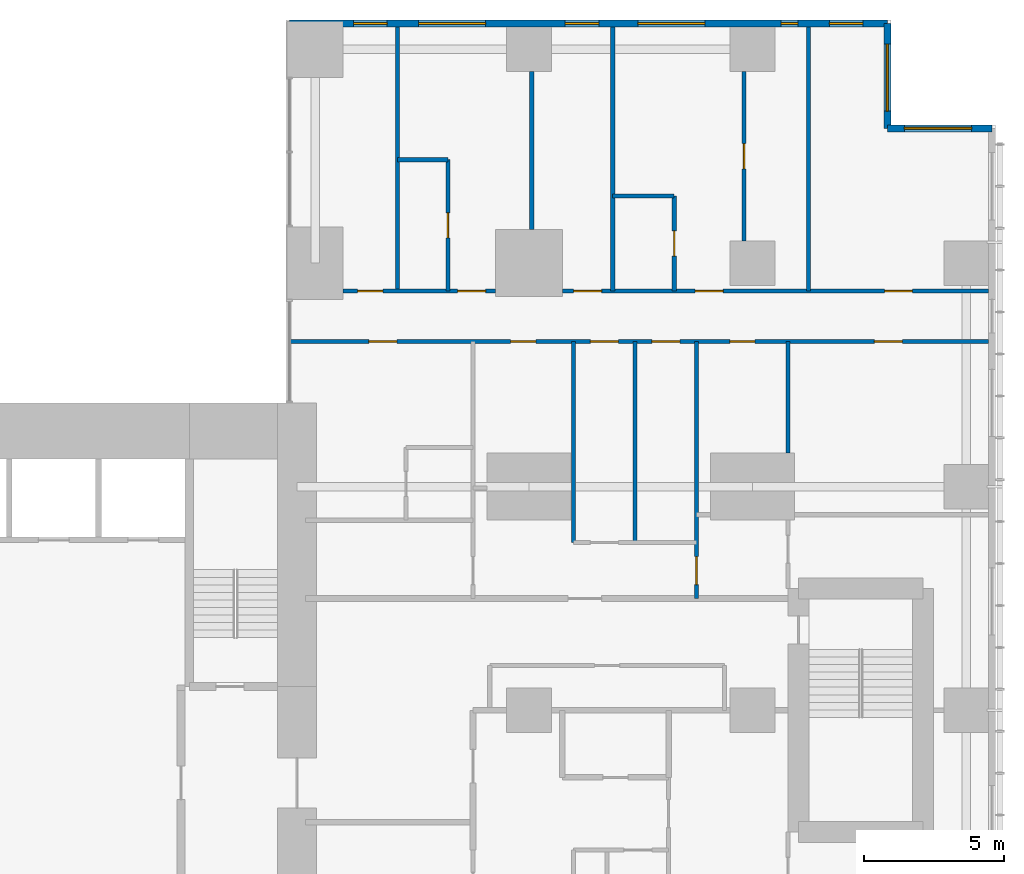
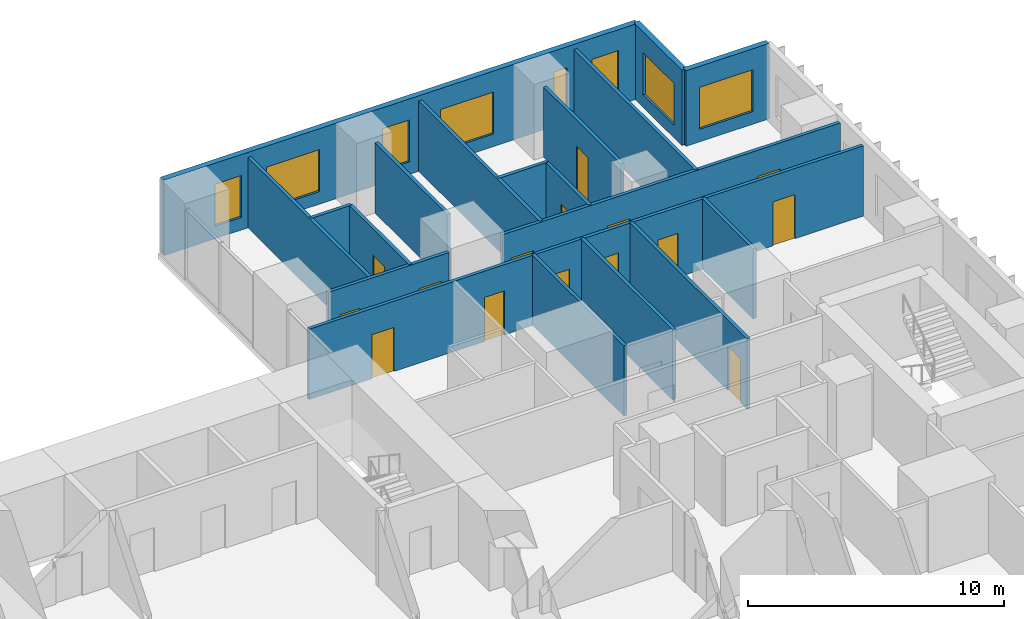
# One storey, part 10 of 12: 19 walls, 15 doors, 8 windows, 23 openings.
"""IFC4 building model written with IfcOpenShell, lengths in metres."""

from ifc_helpers import new_model, si_unit, direction, frame, frame_2d, origin, place, context, subcontext, project, spatial, rectangle, extrude, material, layer, layer_set, type_object, element, fill, save


model = new_model("IFC4")

# Units and contexts
model_context = context("Model", 3, precision=1e-05, world=origin(), true_north=direction((0.0, 1.0)))
body_context = subcontext(model_context, "Body", "Model", "MODEL_VIEW")
ifc_project = project(units=[si_unit("LENGTHUNIT", "METRE"), si_unit("AREAUNIT", "SQUARE_METRE"), si_unit("VOLUMEUNIT", "CUBIC_METRE"), si_unit("PLANEANGLEUNIT", "RADIAN"), si_unit("MASSUNIT", "GRAM", prefix="KILO")], contexts=[model_context])

# Site, building, storey
site_placement = place(None, origin())
site = spatial("IfcSite", under=ifc_project, at=site_placement, CompositionType="ELEMENT")
building_placement = place(site_placement, origin())
building = spatial("IfcBuilding", under=site, at=building_placement, Name="Cleftline Residences", CompositionType="ELEMENT")
storey_placement = place(building_placement, frame((0.0, 0.0, 241.199951171875)))
storey = spatial("IfcBuildingStorey", under=building, at=storey_placement, Name="L63", CompositionType="ELEMENT", Elevation=241.199951171875)

# Wall, opening, window
ifc_material_1 = material(Name="Rendered reinforced concrete blockwork", Category="masonry")
ifc_layer_1 = layer(ifc_material_1, 0.25)
ifc_layer_set_1 = layer_set([ifc_layer_1], Name="EXTERNAL WALL 250")
wall_type_1 = type_object("IfcWallType", Name="EXTERNAL WALL 250", PredefinedType="SOLIDWALL", material=ifc_layer_set_1)
wall_1_placement = place(storey_placement, frame((66.574951171875, 44.824951171875, 0.0), z_axis=(0.0, 0.0, 1.0), x_axis=(-1.0, 0.0, 0.0)))
wall_1 = element("IfcWall", 1, at=wall_1_placement, inside=storey, type_object=wall_type_1, Name="External wall", PredefinedType="SOLIDWALL", context=body_context, shape_type="SweptSolid", body=[
    extrude(rectangle(XDim=3.75, YDim=0.25, at=frame_2d((1.875, 0.0))), origin(), (0.0, 0.0, 1.0), 3.60009765625),
])
opening_1_placement = place(wall_1_placement, frame((0.737548828125, 0.0, 0.60009765625)))
opening_1 = element("IfcOpeningElement", 2, at=opening_1_placement, cuts=wall_1, Name="Opening W6", PredefinedType="OPENING", context=body_context, shape_type="SweptSolid", body=[
    extrude(rectangle(XDim=2.39990234375, YDim=2.0, at=frame_2d((1.199951171875, 1.0))), frame((0.0, 0.135009765625, 0.0), z_axis=(0.0, -1.0, 0.0), x_axis=(1.0, 0.0, 0.0)), (0.0, 0.0, 1.0), 0.27001953125),
])
ifc_material_2 = material(Name="Aluminium frame, clear double glazing", Category="aluminium")
window_type_1 = type_object("IfcWindowType", Name="WINDOW 2400X2000", PartitioningType="DOUBLE_PANEL_VERTICAL", PredefinedType="WINDOW", material=ifc_material_2)
window_1_placement = place(opening_1_placement, origin())
window_1 = element("IfcWindow", 3, at=window_1_placement, inside=storey, type_object=window_type_1, Name="Window", OverallHeight=2.0, OverallWidth=2.39990234375, PartitioningType="SINGLE_PANEL", PredefinedType="WINDOW", context=body_context, shape_type="SweptSolid", body=[
    extrude(rectangle(XDim=2.39990234375, YDim=2.0, at=frame_2d((1.199951171875, 1.0))), frame((0.0, 0.030029296875, 0.0), z_axis=(0.0, -1.0, 0.0), x_axis=(1.0, 0.0, 0.0)), (0.0, 0.0, 1.0), 0.06005859375),
])
fill(opening_1, window_1)

wall_2_placement = place(storey_placement, frame((62.824951171875, 44.824951171875, 0.0), z_axis=(0.0, 0.0, 1.0), x_axis=(0.0, 1.0, 0.0)))
wall_2 = element("IfcWall", 4, at=wall_2_placement, inside=storey, type_object=wall_type_1, Name="External wall", PredefinedType="SOLIDWALL", context=body_context, shape_type="SweptSolid", body=[
    extrude(rectangle(XDim=3.75, YDim=0.25, at=frame_2d((1.875, 0.0))), origin(), (0.0, 0.0, 1.0), 3.60009765625),
])
opening_2_placement = place(wall_2_placement, frame((0.612548828125, 0.0, 0.60009765625)))
opening_2 = element("IfcOpeningElement", 5, at=opening_2_placement, cuts=wall_2, Name="Opening W6", PredefinedType="OPENING", context=body_context, shape_type="SweptSolid", body=[
    extrude(rectangle(XDim=2.39990234375, YDim=2.0, at=frame_2d((1.199951171875, 1.0))), frame((0.0, 0.135009765625, 0.0), z_axis=(0.0, -1.0, 0.0), x_axis=(1.0, 0.0, 0.0)), (0.0, 0.0, 1.0), 0.27001953125),
])
window_2_placement = place(opening_2_placement, origin())
window_2 = element("IfcWindow", 6, at=window_2_placement, inside=storey, type_object=window_type_1, Name="Window", OverallHeight=2.0, OverallWidth=2.39990234375, PartitioningType="SINGLE_PANEL", PredefinedType="WINDOW", context=body_context, shape_type="SweptSolid", body=[
    extrude(rectangle(XDim=2.39990234375, YDim=2.0, at=frame_2d((1.199951171875, 1.0))), frame((0.0, 0.030029296875, 0.0), z_axis=(0.0, -1.0, 0.0), x_axis=(1.0, 0.0, 0.0)), (0.0, 0.0, 1.0), 0.06005859375),
])
fill(opening_2, window_2)

# Wall, openings, windows
wall_3_placement = place(storey_placement, frame((62.824951171875, 48.574951171875, 0.0), z_axis=(0.0, 0.0, 1.0), x_axis=(-1.0, 0.0, 0.0)))
wall_3 = element("IfcWall", 7, at=wall_3_placement, inside=storey, type_object=wall_type_1, Name="External wall", PredefinedType="SOLIDWALL", context=body_context, shape_type="SweptSolid", body=[
    extrude(rectangle(XDim=21.39990234375, YDim=0.25, at=frame_2d((10.699951171875, 0.0))), origin(), (0.0, 0.0, 1.0), 3.60009765625),
])
opening_3_placement = place(wall_3_placement, frame((0.875, 0.0, 0.60009765625)))
opening_3 = element("IfcOpeningElement", 8, at=opening_3_placement, cuts=wall_3, Name="Opening W8", PredefinedType="OPENING", context=body_context, shape_type="SweptSolid", body=[
    extrude(rectangle(XDim=1.199951171875, YDim=2.0, at=frame_2d((0.60009765625, 1.0))), frame((0.0, 0.135009765625, 0.0), z_axis=(0.0, -1.0, 0.0), x_axis=(1.0, 0.0, 0.0)), (0.0, 0.0, 1.0), 0.27001953125),
])
opening_4_placement = place(wall_3_placement, frame((3.199951171875, 0.0, 0.60009765625)))
opening_4 = element("IfcOpeningElement", 9, at=opening_4_placement, cuts=wall_3, Name="Opening W7", PredefinedType="OPENING", context=body_context, shape_type="SweptSolid", body=[
    extrude(rectangle(XDim=0.60009765625, YDim=2.0, at=frame_2d((0.300048828125, 1.0))), frame((0.0, 0.135009765625, 0.0), z_axis=(0.0, -1.0, 0.0), x_axis=(1.0, 0.0, 0.0)), (0.0, 0.0, 1.0), 0.27001953125),
])
opening_5_placement = place(wall_3_placement, frame((6.52490234375, 0.0, 0.60009765625)))
opening_5 = element("IfcOpeningElement", 10, at=opening_5_placement, cuts=wall_3, Name="Opening W6", PredefinedType="OPENING", context=body_context, shape_type="SweptSolid", body=[
    extrude(rectangle(XDim=2.39990234375, YDim=2.0, at=frame_2d((1.199951171875, 1.0))), frame((0.0, 0.135009765625, 0.0), z_axis=(0.0, -1.0, 0.0), x_axis=(1.0, 0.0, 0.0)), (0.0, 0.0, 1.0), 0.27001953125),
])
opening_6_placement = place(wall_3_placement, frame((10.324951171875, 0.0, 0.60009765625)))
opening_6 = element("IfcOpeningElement", 11, at=opening_6_placement, cuts=wall_3, Name="Opening W8", PredefinedType="OPENING", context=body_context, shape_type="SweptSolid", body=[
    extrude(rectangle(XDim=1.199951171875, YDim=2.0, at=frame_2d((0.60009765625, 1.0))), frame((0.0, 0.135009765625, 0.0), z_axis=(0.0, -1.0, 0.0), x_axis=(1.0, 0.0, 0.0)), (0.0, 0.0, 1.0), 0.27001953125),
])
opening_7_placement = place(wall_3_placement, frame((14.375, 0.0, 0.60009765625)))
opening_7 = element("IfcOpeningElement", 12, at=opening_7_placement, cuts=wall_3, Name="Opening W6", PredefinedType="OPENING", context=body_context, shape_type="SweptSolid", body=[
    extrude(rectangle(XDim=2.39990234375, YDim=2.0, at=frame_2d((1.199951171875, 1.0))), frame((0.0, 0.135009765625, 0.0), z_axis=(0.0, -1.0, 0.0), x_axis=(1.0, 0.0, 0.0)), (0.0, 0.0, 1.0), 0.27001953125),
])
opening_8_placement = place(wall_3_placement, frame((17.89990234375, 0.0, 0.60009765625)))
opening_8 = element("IfcOpeningElement", 13, at=opening_8_placement, cuts=wall_3, Name="Opening W8", PredefinedType="OPENING", context=body_context, shape_type="SweptSolid", body=[
    extrude(rectangle(XDim=1.199951171875, YDim=2.0, at=frame_2d((0.60009765625, 1.0))), frame((0.0, 0.135009765625, 0.0), z_axis=(0.0, -1.0, 0.0), x_axis=(1.0, 0.0, 0.0)), (0.0, 0.0, 1.0), 0.27001953125),
])
ifc_material_3 = material(Name="Aluminium frame, clear double glazing", Category="aluminium")
window_type_2 = type_object("IfcWindowType", Name="WINDOW 1200X2000", PartitioningType="DOUBLE_PANEL_VERTICAL", PredefinedType="WINDOW", material=ifc_material_3)
window_3_placement = place(opening_3_placement, origin())
window_3 = element("IfcWindow", 14, at=window_3_placement, inside=storey, type_object=window_type_2, Name="Window", OverallHeight=2.0, OverallWidth=1.199951171875, PartitioningType="SINGLE_PANEL", PredefinedType="WINDOW", context=body_context, shape_type="SweptSolid", body=[
    extrude(rectangle(XDim=1.199951171875, YDim=2.0, at=frame_2d((0.60009765625, 1.0))), frame((0.0, 0.030029296875, 0.0), z_axis=(0.0, -1.0, 0.0), x_axis=(1.0, 0.0, 0.0)), (0.0, 0.0, 1.0), 0.06005859375),
])
fill(opening_3, window_3)
window_4_placement = place(opening_6_placement, origin())
window_4 = element("IfcWindow", 15, at=window_4_placement, inside=storey, type_object=window_type_2, Name="Window", OverallHeight=2.0, OverallWidth=1.199951171875, PartitioningType="SINGLE_PANEL", PredefinedType="WINDOW", context=body_context, shape_type="SweptSolid", body=[
    extrude(rectangle(XDim=1.199951171875, YDim=2.0, at=frame_2d((0.60009765625, 1.0))), frame((0.0, 0.030029296875, 0.0), z_axis=(0.0, -1.0, 0.0), x_axis=(1.0, 0.0, 0.0)), (0.0, 0.0, 1.0), 0.06005859375),
])
fill(opening_6, window_4)
window_5_placement = place(opening_8_placement, origin())
window_5 = element("IfcWindow", 16, at=window_5_placement, inside=storey, type_object=window_type_2, Name="Window", OverallHeight=2.0, OverallWidth=1.199951171875, PartitioningType="SINGLE_PANEL", PredefinedType="WINDOW", context=body_context, shape_type="SweptSolid", body=[
    extrude(rectangle(XDim=1.199951171875, YDim=2.0, at=frame_2d((0.60009765625, 1.0))), frame((0.0, 0.030029296875, 0.0), z_axis=(0.0, -1.0, 0.0), x_axis=(1.0, 0.0, 0.0)), (0.0, 0.0, 1.0), 0.06005859375),
])
fill(opening_8, window_5)
window_6_placement = place(opening_5_placement, origin())
window_6 = element("IfcWindow", 17, at=window_6_placement, inside=storey, type_object=window_type_1, Name="Window", OverallHeight=2.0, OverallWidth=2.39990234375, PartitioningType="SINGLE_PANEL", PredefinedType="WINDOW", context=body_context, shape_type="SweptSolid", body=[
    extrude(rectangle(XDim=2.39990234375, YDim=2.0, at=frame_2d((1.199951171875, 1.0))), frame((0.0, 0.030029296875, 0.0), z_axis=(0.0, -1.0, 0.0), x_axis=(1.0, 0.0, 0.0)), (0.0, 0.0, 1.0), 0.06005859375),
])
fill(opening_5, window_6)
window_7_placement = place(opening_7_placement, origin())
window_7 = element("IfcWindow", 18, at=window_7_placement, inside=storey, type_object=window_type_1, Name="Window", OverallHeight=2.0, OverallWidth=2.39990234375, PartitioningType="SINGLE_PANEL", PredefinedType="WINDOW", context=body_context, shape_type="SweptSolid", body=[
    extrude(rectangle(XDim=2.39990234375, YDim=2.0, at=frame_2d((1.199951171875, 1.0))), frame((0.0, 0.030029296875, 0.0), z_axis=(0.0, -1.0, 0.0), x_axis=(1.0, 0.0, 0.0)), (0.0, 0.0, 1.0), 0.06005859375),
])
fill(opening_7, window_7)
ifc_material_4 = material(Name="Aluminium frame, clear double glazing", Category="aluminium")
window_type_3 = type_object("IfcWindowType", Name="WINDOW 600X2000", PartitioningType="DOUBLE_PANEL_VERTICAL", PredefinedType="WINDOW", material=ifc_material_4)
window_8_placement = place(opening_4_placement, origin())
window_8 = element("IfcWindow", 19, at=window_8_placement, inside=storey, type_object=window_type_3, Name="Window", OverallHeight=2.0, OverallWidth=0.60009765625, PartitioningType="SINGLE_PANEL", PredefinedType="WINDOW", context=body_context, shape_type="SweptSolid", body=[
    extrude(rectangle(XDim=0.60009765625, YDim=2.0, at=frame_2d((0.300048828125, 1.0))), frame((0.0, 0.030029296875, 0.0), z_axis=(0.0, -1.0, 0.0), x_axis=(1.0, 0.0, 0.0)), (0.0, 0.0, 1.0), 0.06005859375),
])
fill(opening_4, window_8)

# Wall, openings, doors
ifc_material_5 = material(Name="Gypsum board on steel studs", Category="steel")
ifc_layer_2 = layer(ifc_material_5, 0.14990234375)
ifc_layer_set_2 = layer_set([ifc_layer_2], Name="PARTITION 150")
wall_type_2 = type_object("IfcWallType", Name="PARTITION 150", PredefinedType="PARTITIONING", material=ifc_layer_set_2)
wall_4_placement = place(storey_placement, frame((41.43896484375, 37.199951171875, 0.0), z_axis=(0.0, 0.0, 1.0), x_axis=(1.0, 0.0, 0.0)))
wall_4 = element("IfcWall", 20, at=wall_4_placement, inside=storey, type_object=wall_type_2, Name="Partition", PredefinedType="PARTITIONING", context=body_context, shape_type="SweptSolid", body=[
    extrude(rectangle(XDim=25.010986328125, YDim=0.14990234375, at=frame_2d((12.50537109375, 0.0))), origin(), (0.0, 0.0, 1.0), 3.35009765625),
])
opening_9_placement = place(wall_4_placement, frame((10.760986328125, 0.0, 0.0)))
opening_9 = element("IfcOpeningElement", 21, at=opening_9_placement, cuts=wall_4, Name="Opening D2", PredefinedType="OPENING", context=body_context, shape_type="SweptSolid", body=[
    extrude(rectangle(XDim=1.0, YDim=2.10009765625, at=frame_2d((0.5, 1.050048828125))), frame((0.0, 0.0849609375, 0.0), z_axis=(0.0, -1.0, 0.0), x_axis=(1.0, 0.0, 0.0)), (0.0, 0.0, 1.0), 0.169921875),
])
opening_10_placement = place(wall_4_placement, frame((20.923583984375, 0.0, 0.0)))
opening_10 = element("IfcOpeningElement", 22, at=opening_10_placement, cuts=wall_4, Name="Opening D2", PredefinedType="OPENING", context=body_context, shape_type="SweptSolid", body=[
    extrude(rectangle(XDim=1.0, YDim=2.10009765625, at=frame_2d((0.5, 1.050048828125))), frame((0.0, 0.0849609375, 0.0), z_axis=(0.0, -1.0, 0.0), x_axis=(1.0, 0.0, 0.0)), (0.0, 0.0, 1.0), 0.169921875),
])
opening_11_placement = place(wall_4_placement, frame((15.74853515625, 0.0, 0.0)))
opening_11 = element("IfcOpeningElement", 23, at=opening_11_placement, cuts=wall_4, Name="Opening D1", PredefinedType="OPENING", context=body_context, shape_type="SweptSolid", body=[
    extrude(rectangle(XDim=0.89990234375, YDim=2.10009765625, at=frame_2d((0.449951171875, 1.050048828125))), frame((0.0, 0.0849609375, 0.0), z_axis=(0.0, -1.0, 0.0), x_axis=(1.0, 0.0, 0.0)), (0.0, 0.0, 1.0), 0.169921875),
])
opening_12_placement = place(wall_4_placement, frame((12.9609375, 0.0, 0.0)))
opening_12 = element("IfcOpeningElement", 24, at=opening_12_placement, cuts=wall_4, Name="Opening D2", PredefinedType="OPENING", context=body_context, shape_type="SweptSolid", body=[
    extrude(rectangle(XDim=1.0, YDim=2.10009765625, at=frame_2d((0.5, 1.050048828125))), frame((0.0, 0.0849609375, 0.0), z_axis=(0.0, -1.0, 0.0), x_axis=(1.0, 0.0, 0.0)), (0.0, 0.0, 1.0), 0.169921875),
])
opening_13_placement = place(wall_4_placement, frame((7.910888671875, 0.0, 0.0)))
opening_13 = element("IfcOpeningElement", 25, at=opening_13_placement, cuts=wall_4, Name="Opening D1", PredefinedType="OPENING", context=body_context, shape_type="SweptSolid", body=[
    extrude(rectangle(XDim=0.89990234375, YDim=2.10009765625, at=frame_2d((0.449951171875, 1.050048828125))), frame((0.0, 0.0849609375, 0.0), z_axis=(0.0, -1.0, 0.0), x_axis=(1.0, 0.0, 0.0)), (0.0, 0.0, 1.0), 0.169921875),
])
opening_14_placement = place(wall_4_placement, frame((2.8359375, 0.0, 0.0)))
opening_14 = element("IfcOpeningElement", 26, at=opening_14_placement, cuts=wall_4, Name="Opening D2", PredefinedType="OPENING", context=body_context, shape_type="SweptSolid", body=[
    extrude(rectangle(XDim=1.0, YDim=2.10009765625, at=frame_2d((0.5, 1.050048828125))), frame((0.0, 0.0849609375, 0.0), z_axis=(0.0, -1.0, 0.0), x_axis=(1.0, 0.0, 0.0)), (0.0, 0.0, 1.0), 0.169921875),
])
ifc_material_6 = material(Name="Timber veneer on solid core", Category="wood")
door_type_1 = type_object("IfcDoorType", Name="DOOR 1000X2100", OperationType="SINGLE_SWING_LEFT", PredefinedType="DOOR", material=ifc_material_6)
door_1_placement = place(opening_9_placement, origin())
door_1 = element("IfcDoor", 27, at=door_1_placement, inside=storey, type_object=door_type_1, Name="Door to residence hall", OperationType="SINGLE_SWING_RIGHT", OverallHeight=2.10009765625, OverallWidth=1.0, PredefinedType="DOOR", context=body_context, shape_type="SweptSolid", body=[
    extrude(rectangle(XDim=1.0, YDim=2.10009765625, at=frame_2d((0.5, 1.050048828125))), frame((0.0, 0.02490234375, 0.0), z_axis=(0.0, -1.0, 0.0), x_axis=(1.0, 0.0, 0.0)), (0.0, 0.0, 1.0), 0.050048828125),
])
fill(opening_9, door_1)
door_2_placement = place(opening_10_placement, origin())
door_2 = element("IfcDoor", 28, at=door_2_placement, inside=storey, type_object=door_type_1, Name="Door to master bedroom", OperationType="SINGLE_SWING_LEFT", OverallHeight=2.10009765625, OverallWidth=1.0, PredefinedType="DOOR", context=body_context, shape_type="SweptSolid", body=[
    extrude(rectangle(XDim=1.0, YDim=2.10009765625, at=frame_2d((0.5, 1.050048828125))), frame((0.0, 0.02490234375, 0.0), z_axis=(0.0, -1.0, 0.0), x_axis=(1.0, 0.0, 0.0)), (0.0, 0.0, 1.0), 0.050048828125),
])
fill(opening_10, door_2)
door_3_placement = place(opening_12_placement, origin())
door_3 = element("IfcDoor", 29, at=door_3_placement, inside=storey, type_object=door_type_1, Name="Door to family room", OperationType="SINGLE_SWING_LEFT", OverallHeight=2.10009765625, OverallWidth=1.0, PredefinedType="DOOR", context=body_context, shape_type="SweptSolid", body=[
    extrude(rectangle(XDim=1.0, YDim=2.10009765625, at=frame_2d((0.5, 1.050048828125))), frame((0.0, 0.02490234375, 0.0), z_axis=(0.0, -1.0, 0.0), x_axis=(1.0, 0.0, 0.0)), (0.0, 0.0, 1.0), 0.050048828125),
])
fill(opening_12, door_3)
door_4_placement = place(opening_14_placement, origin())
door_4 = element("IfcDoor", 30, at=door_4_placement, inside=storey, type_object=door_type_1, Name="Door to bedroom 4", OperationType="SINGLE_SWING_RIGHT", OverallHeight=2.10009765625, OverallWidth=1.0, PredefinedType="DOOR", context=body_context, shape_type="SweptSolid", body=[
    extrude(rectangle(XDim=1.0, YDim=2.10009765625, at=frame_2d((0.5, 1.050048828125))), frame((0.0, 0.02490234375, 0.0), z_axis=(0.0, -1.0, 0.0), x_axis=(1.0, 0.0, 0.0)), (0.0, 0.0, 1.0), 0.050048828125),
])
fill(opening_14, door_4)
ifc_material_7 = material(Name="Timber veneer on solid core", Category="wood")
door_type_2 = type_object("IfcDoorType", Name="DOOR 900X2100", OperationType="SINGLE_SWING_LEFT", PredefinedType="DOOR", material=ifc_material_7)
door_5_placement = place(opening_11_placement, origin())
door_5 = element("IfcDoor", 31, at=door_5_placement, inside=storey, type_object=door_type_2, Name="Door to master bathroom", OperationType="SINGLE_SWING_LEFT", OverallHeight=2.10009765625, OverallWidth=0.89990234375, PredefinedType="DOOR", context=body_context, shape_type="SweptSolid", body=[
    extrude(rectangle(XDim=0.89990234375, YDim=2.10009765625, at=frame_2d((0.449951171875, 1.050048828125))), frame((0.0, 0.02490234375, 0.0), z_axis=(0.0, -1.0, 0.0), x_axis=(1.0, 0.0, 0.0)), (0.0, 0.0, 1.0), 0.050048828125),
])
fill(opening_11, door_5)
door_6_placement = place(opening_13_placement, origin())
door_6 = element("IfcDoor", 32, at=door_6_placement, inside=storey, type_object=door_type_2, Name="Door to master dressing room", OperationType="SINGLE_SWING_RIGHT", OverallHeight=2.10009765625, OverallWidth=0.89990234375, PredefinedType="DOOR", context=body_context, shape_type="SweptSolid", body=[
    extrude(rectangle(XDim=0.89990234375, YDim=2.10009765625, at=frame_2d((0.449951171875, 1.050048828125))), frame((0.0, 0.02490234375, 0.0), z_axis=(0.0, -1.0, 0.0), x_axis=(1.0, 0.0, 0.0)), (0.0, 0.0, 1.0), 0.050048828125),
])
fill(opening_13, door_6)

wall_5_placement = place(storey_placement, frame((43.35009765625, 39.0, 0.0), z_axis=(0.0, 0.0, 1.0), x_axis=(1.0, 0.0, 0.0)))
wall_5 = element("IfcWall", 33, at=wall_5_placement, inside=storey, type_object=wall_type_2, Name="Partition", PredefinedType="PARTITIONING", context=body_context, shape_type="SweptSolid", body=[
    extrude(rectangle(XDim=5.449951171875, YDim=0.14990234375, at=frame_2d((2.72509765625, 0.0))), origin(), (0.0, 0.0, 1.0), 3.35009765625),
])
opening_15_placement = place(wall_5_placement, frame((4.10009765625, 0.0, 0.0)))
opening_15 = element("IfcOpeningElement", 34, at=opening_15_placement, cuts=wall_5, Name="Opening D2", PredefinedType="OPENING", context=body_context, shape_type="SweptSolid", body=[
    extrude(rectangle(XDim=1.0, YDim=2.10009765625, at=frame_2d((0.5, 1.050048828125))), frame((0.0, 0.0849609375, 0.0), z_axis=(0.0, -1.0, 0.0), x_axis=(1.0, 0.0, 0.0)), (0.0, 0.0, 1.0), 0.169921875),
])
opening_16_placement = place(wall_5_placement, frame((0.52490234375, 0.0, 0.0)))
opening_16 = element("IfcOpeningElement", 35, at=opening_16_placement, cuts=wall_5, Name="Opening D1", PredefinedType="OPENING", context=body_context, shape_type="SweptSolid", body=[
    extrude(rectangle(XDim=0.89990234375, YDim=2.10009765625, at=frame_2d((0.449951171875, 1.050048828125))), frame((0.0, 0.0849609375, 0.0), z_axis=(0.0, -1.0, 0.0), x_axis=(1.0, 0.0, 0.0)), (0.0, 0.0, 1.0), 0.169921875),
])
door_7_placement = place(opening_15_placement, origin())
door_7 = element("IfcDoor", 36, at=door_7_placement, inside=storey, type_object=door_type_1, Name="Door to bedroom 3", OperationType="SINGLE_SWING_LEFT", OverallHeight=2.10009765625, OverallWidth=1.0, PredefinedType="DOOR", context=body_context, shape_type="SweptSolid", body=[
    extrude(rectangle(XDim=1.0, YDim=2.10009765625, at=frame_2d((0.5, 1.050048828125))), frame((0.0, 0.02490234375, 0.0), z_axis=(0.0, -1.0, 0.0), x_axis=(1.0, 0.0, 0.0)), (0.0, 0.0, 1.0), 0.050048828125),
])
fill(opening_15, door_7)
door_8_placement = place(opening_16_placement, origin())
door_8 = element("IfcDoor", 37, at=door_8_placement, inside=storey, type_object=door_type_2, Name="Door to dressing room", OperationType="SINGLE_SWING_RIGHT", OverallHeight=2.10009765625, OverallWidth=0.89990234375, PredefinedType="DOOR", context=body_context, shape_type="SweptSolid", body=[
    extrude(rectangle(XDim=0.89990234375, YDim=2.10009765625, at=frame_2d((0.449951171875, 1.050048828125))), frame((0.0, 0.02490234375, 0.0), z_axis=(0.0, -1.0, 0.0), x_axis=(1.0, 0.0, 0.0)), (0.0, 0.0, 1.0), 0.050048828125),
])
fill(opening_16, door_8)

wall_6_placement = place(storey_placement, frame((51.199951171875, 39.0, 0.0), z_axis=(0.0, 0.0, 1.0), x_axis=(1.0, 0.0, 0.0)))
wall_6 = element("IfcWall", 38, at=wall_6_placement, inside=storey, type_object=wall_type_2, Name="Partition", PredefinedType="PARTITIONING", context=body_context, shape_type="SweptSolid", body=[
    extrude(rectangle(XDim=15.25, YDim=0.14990234375, at=frame_2d((7.625, 0.0))), origin(), (0.0, 0.0, 1.0), 3.35009765625),
])
opening_17_placement = place(wall_6_placement, frame((11.52490234375, 0.0, 0.0)))
opening_17 = element("IfcOpeningElement", 39, at=opening_17_placement, cuts=wall_6, Name="Opening D2", PredefinedType="OPENING", context=body_context, shape_type="SweptSolid", body=[
    extrude(rectangle(XDim=1.0, YDim=2.10009765625, at=frame_2d((0.5, 1.050048828125))), frame((0.0, 0.0849609375, 0.0), z_axis=(0.0, -1.0, 0.0), x_axis=(1.0, 0.0, 0.0)), (0.0, 0.0, 1.0), 0.169921875),
])
opening_18_placement = place(wall_6_placement, frame((4.75, 0.0, 0.0)))
opening_18 = element("IfcOpeningElement", 40, at=opening_18_placement, cuts=wall_6, Name="Opening D2", PredefinedType="OPENING", context=body_context, shape_type="SweptSolid", body=[
    extrude(rectangle(XDim=1.0, YDim=2.10009765625, at=frame_2d((0.5, 1.050048828125))), frame((0.0, 0.0849609375, 0.0), z_axis=(0.0, -1.0, 0.0), x_axis=(1.0, 0.0, 0.0)), (0.0, 0.0, 1.0), 0.169921875),
])
opening_19_placement = place(wall_6_placement, frame((0.39990234375, 0.0, 0.0)))
opening_19 = element("IfcOpeningElement", 41, at=opening_19_placement, cuts=wall_6, Name="Opening D2", PredefinedType="OPENING", context=body_context, shape_type="SweptSolid", body=[
    extrude(rectangle(XDim=1.0, YDim=2.10009765625, at=frame_2d((0.5, 1.050048828125))), frame((0.0, 0.0849609375, 0.0), z_axis=(0.0, -1.0, 0.0), x_axis=(1.0, 0.0, 0.0)), (0.0, 0.0, 1.0), 0.169921875),
])
door_9_placement = place(opening_17_placement, origin())
door_9 = element("IfcDoor", 42, at=door_9_placement, inside=storey, type_object=door_type_1, Name="Door to gym", OperationType="SINGLE_SWING_LEFT", OverallHeight=2.10009765625, OverallWidth=1.0, PredefinedType="DOOR", context=body_context, shape_type="SweptSolid", body=[
    extrude(rectangle(XDim=1.0, YDim=2.10009765625, at=frame_2d((0.5, 1.050048828125))), frame((0.0, 0.02490234375, 0.0), z_axis=(0.0, -1.0, 0.0), x_axis=(1.0, 0.0, 0.0)), (0.0, 0.0, 1.0), 0.050048828125),
])
fill(opening_17, door_9)
door_10_placement = place(opening_18_placement, origin())
door_10 = element("IfcDoor", 43, at=door_10_placement, inside=storey, type_object=door_type_1, Name="Door to bedroom 2", OperationType="SINGLE_SWING_RIGHT", OverallHeight=2.10009765625, OverallWidth=1.0, PredefinedType="DOOR", context=body_context, shape_type="SweptSolid", body=[
    extrude(rectangle(XDim=1.0, YDim=2.10009765625, at=frame_2d((0.5, 1.050048828125))), frame((0.0, 0.02490234375, 0.0), z_axis=(0.0, -1.0, 0.0), x_axis=(1.0, 0.0, 0.0)), (0.0, 0.0, 1.0), 0.050048828125),
])
fill(opening_18, door_10)
door_11_placement = place(opening_19_placement, origin())
door_11 = element("IfcDoor", 44, at=door_11_placement, inside=storey, type_object=door_type_1, Name="Door to bedroom 3 sitting room", OperationType="SINGLE_SWING_RIGHT", OverallHeight=2.10009765625, OverallWidth=1.0, PredefinedType="DOOR", context=body_context, shape_type="SweptSolid", body=[
    extrude(rectangle(XDim=1.0, YDim=2.10009765625, at=frame_2d((0.5, 1.050048828125))), frame((0.0, 0.02490234375, 0.0), z_axis=(0.0, -1.0, 0.0), x_axis=(1.0, 0.0, 0.0)), (0.0, 0.0, 1.0), 0.050048828125),
])
fill(opening_19, door_11)

# Walls
wall_7_placement = place(storey_placement, frame((53.0, 42.39990234375, 0.0), z_axis=(0.0, 0.0, 1.0), x_axis=(1.0, 0.0, 0.0)))
element("IfcWall", 45, at=wall_7_placement, inside=storey, type_object=wall_type_2, Name="Partition", PredefinedType="PARTITIONING", context=body_context, shape_type="SweptSolid", body=[
    extrude(rectangle(XDim=2.199951171875, YDim=0.14990234375, at=frame_2d((1.10009765625, 0.0))), origin(), (0.0, 0.0, 1.0), 3.35009765625),
])
wall_8_placement = place(storey_placement, frame((45.300048828125, 43.699951171875, 0.0), z_axis=(0.0, 0.0, 1.0), x_axis=(1.0, 0.0, 0.0)))
element("IfcWall", 46, at=wall_8_placement, inside=storey, type_object=wall_type_2, Name="Partition", PredefinedType="PARTITIONING", context=body_context, shape_type="SweptSolid", body=[
    extrude(rectangle(XDim=1.800048828125, YDim=0.14990234375, at=frame_2d((0.89990234375, 0.0))), origin(), (0.0, 0.0, 1.0), 3.35009765625),
])
wall_9_placement = place(storey_placement, frame((45.300048828125, 39.0, 0.0), z_axis=(0.0, 0.0, 1.0), x_axis=(0.0, 1.0, 0.0)))
element("IfcWall", 47, at=wall_9_placement, inside=storey, type_object=wall_type_2, Name="Partition", PredefinedType="PARTITIONING", context=body_context, shape_type="SweptSolid", body=[
    extrude(rectangle(XDim=9.449951171875, YDim=0.14990234375, at=frame_2d((4.72509765625, 0.0))), origin(), (0.0, 0.0, 1.0), 3.35009765625),
])

# Wall, opening, door
wall_10_placement = place(storey_placement, frame((47.10009765625, 39.0, 0.0), z_axis=(0.0, 0.0, 1.0), x_axis=(0.0, 1.0, 0.0)))
wall_10 = element("IfcWall", 48, at=wall_10_placement, inside=storey, type_object=wall_type_2, Name="Partition", PredefinedType="PARTITIONING", context=body_context, shape_type="SweptSolid", body=[
    extrude(rectangle(XDim=4.699951171875, YDim=0.14990234375, at=frame_2d((2.35009765625, 0.0))), origin(), (0.0, 0.0, 1.0), 3.35009765625),
])
opening_20_placement = place(wall_10_placement, frame((1.89990234375, 0.0, 0.0)))
opening_20 = element("IfcOpeningElement", 49, at=opening_20_placement, cuts=wall_10, Name="Opening D1", PredefinedType="OPENING", context=body_context, shape_type="SweptSolid", body=[
    extrude(rectangle(XDim=0.89990234375, YDim=2.10009765625, at=frame_2d((0.449951171875, 1.050048828125))), frame((0.0, 0.0849609375, 0.0), z_axis=(0.0, -1.0, 0.0), x_axis=(1.0, 0.0, 0.0)), (0.0, 0.0, 1.0), 0.169921875),
])
door_12_placement = place(opening_20_placement, origin())
door_12 = element("IfcDoor", 50, at=door_12_placement, inside=storey, type_object=door_type_2, Name="Door to en-suite bathroom 3", OperationType="SINGLE_SWING_LEFT", OverallHeight=2.10009765625, OverallWidth=0.89990234375, PredefinedType="DOOR", context=body_context, shape_type="SweptSolid", body=[
    extrude(rectangle(XDim=0.89990234375, YDim=2.10009765625, at=frame_2d((0.449951171875, 1.050048828125))), frame((0.0, 0.02490234375, 0.0), z_axis=(0.0, -1.0, 0.0), x_axis=(1.0, 0.0, 0.0)), (0.0, 0.0, 1.0), 0.050048828125),
])
fill(opening_20, door_12)

# Walls
wall_11_placement = place(storey_placement, frame((50.10009765625, 41.199951171875, 0.0), z_axis=(0.0, 0.0, 1.0), x_axis=(0.0, 1.0, 0.0)))
element("IfcWall", 51, at=wall_11_placement, inside=storey, type_object=wall_type_2, Name="Partition", PredefinedType="PARTITIONING", context=body_context, shape_type="SweptSolid", body=[
    extrude(rectangle(XDim=5.650146484375, YDim=0.14990234375, at=frame_2d((2.8251953125, 0.0))), origin(), (0.0, 0.0, 1.0), 3.35009765625),
])
wall_12_placement = place(storey_placement, frame((51.60009765625, 30.0, 0.0), z_axis=(0.0, 0.0, 1.0), x_axis=(0.0, 1.0, 0.0)))
element("IfcWall", 52, at=wall_12_placement, inside=storey, type_object=wall_type_2, Name="Partition", PredefinedType="PARTITIONING", context=body_context, shape_type="SweptSolid", body=[
    extrude(rectangle(XDim=7.199951171875, YDim=0.14990234375, at=frame_2d((3.60009765625, 0.0))), origin(), (0.0, 0.0, 1.0), 3.35009765625),
])
wall_13_placement = place(storey_placement, frame((53.0, 39.0, 0.0), z_axis=(0.0, 0.0, 1.0), x_axis=(0.0, 1.0, 0.0)))
element("IfcWall", 53, at=wall_13_placement, inside=storey, type_object=wall_type_2, Name="Partition", PredefinedType="PARTITIONING", context=body_context, shape_type="SweptSolid", body=[
    extrude(rectangle(XDim=9.449951171875, YDim=0.14990234375, at=frame_2d((4.72509765625, 0.0))), origin(), (0.0, 0.0, 1.0), 3.35009765625),
])
wall_14_placement = place(storey_placement, frame((53.800048828125, 30.0, 0.0), z_axis=(0.0, 0.0, 1.0), x_axis=(0.0, 1.0, 0.0)))
element("IfcWall", 54, at=wall_14_placement, inside=storey, type_object=wall_type_2, Name="Partition", PredefinedType="PARTITIONING", context=body_context, shape_type="SweptSolid", body=[
    extrude(rectangle(XDim=7.199951171875, YDim=0.14990234375, at=frame_2d((3.60009765625, 0.0))), origin(), (0.0, 0.0, 1.0), 3.35009765625),
])

# Wall, opening, door
wall_15_placement = place(storey_placement, frame((55.199951171875, 39.0, 0.0), z_axis=(0.0, 0.0, 1.0), x_axis=(0.0, 1.0, 0.0)))
wall_15 = element("IfcWall", 55, at=wall_15_placement, inside=storey, type_object=wall_type_2, Name="Partition", PredefinedType="PARTITIONING", context=body_context, shape_type="SweptSolid", body=[
    extrude(rectangle(XDim=3.39990234375, YDim=0.14990234375, at=frame_2d((1.699951171875, 0.0))), origin(), (0.0, 0.0, 1.0), 3.35009765625),
])
opening_21_placement = place(wall_15_placement, frame((1.25, 0.0, 0.0)))
opening_21 = element("IfcOpeningElement", 56, at=opening_21_placement, cuts=wall_15, Name="Opening D1", PredefinedType="OPENING", context=body_context, shape_type="SweptSolid", body=[
    extrude(rectangle(XDim=0.89990234375, YDim=2.10009765625, at=frame_2d((0.449951171875, 1.050048828125))), frame((0.0, 0.0849609375, 0.0), z_axis=(0.0, -1.0, 0.0), x_axis=(1.0, 0.0, 0.0)), (0.0, 0.0, 1.0), 0.169921875),
])
door_13_placement = place(opening_21_placement, origin())
door_13 = element("IfcDoor", 57, at=door_13_placement, inside=storey, type_object=door_type_2, Name="Door to en-suite bathroom 2", OperationType="SINGLE_SWING_LEFT", OverallHeight=2.10009765625, OverallWidth=0.89990234375, PredefinedType="DOOR", context=body_context, shape_type="SweptSolid", body=[
    extrude(rectangle(XDim=0.89990234375, YDim=2.10009765625, at=frame_2d((0.449951171875, 1.050048828125))), frame((0.0, 0.02490234375, 0.0), z_axis=(0.0, -1.0, 0.0), x_axis=(1.0, 0.0, 0.0)), (0.0, 0.0, 1.0), 0.050048828125),
])
fill(opening_21, door_13)

wall_16_placement = place(storey_placement, frame((56.0, 28.0, 0.0), z_axis=(0.0, 0.0, 1.0), x_axis=(0.0, 1.0, 0.0)))
wall_16 = element("IfcWall", 58, at=wall_16_placement, inside=storey, type_object=wall_type_2, Name="Partition", PredefinedType="PARTITIONING", context=body_context, shape_type="SweptSolid", body=[
    extrude(rectangle(XDim=9.199951171875, YDim=0.14990234375, at=frame_2d((4.60009765625, 0.0))), origin(), (0.0, 0.0, 1.0), 3.35009765625),
])
opening_22_placement = place(wall_16_placement, frame((0.5, 0.0, 0.0)))
opening_22 = element("IfcOpeningElement", 59, at=opening_22_placement, cuts=wall_16, Name="Opening D2F30", PredefinedType="OPENING", context=body_context, shape_type="SweptSolid", body=[
    extrude(rectangle(XDim=1.0, YDim=2.10009765625, at=frame_2d((0.5, 1.050048828125))), frame((0.0, 0.0849609375, 0.0), z_axis=(0.0, -1.0, 0.0), x_axis=(1.0, 0.0, 0.0)), (0.0, 0.0, 1.0), 0.169921875),
])
ifc_material_8 = material(Name="Timber veneer on solid core", Category="wood")
door_type_3 = type_object("IfcDoorType", Name="DOOR 1000X2100 EI 30", OperationType="SINGLE_SWING_LEFT", PredefinedType="DOOR", material=ifc_material_8)
door_14_placement = place(opening_22_placement, origin())
door_14 = element("IfcDoor", 60, at=door_14_placement, inside=storey, type_object=door_type_3, Name="Door to residence lobby (service)", OperationType="SINGLE_SWING_RIGHT", OverallHeight=2.10009765625, OverallWidth=1.0, PredefinedType="DOOR", context=body_context, shape_type="SweptSolid", body=[
    extrude(rectangle(XDim=1.0, YDim=2.10009765625, at=frame_2d((0.5, 1.050048828125))), frame((0.0, 0.02490234375, 0.0), z_axis=(0.0, -1.0, 0.0), x_axis=(1.0, 0.0, 0.0)), (0.0, 0.0, 1.0), 0.050048828125),
])
fill(opening_22, door_14)

wall_17_placement = place(storey_placement, frame((57.699951171875, 40.800048828125, 0.0), z_axis=(0.0, 0.0, 1.0), x_axis=(0.0, 1.0, 0.0)))
wall_17 = element("IfcWall", 61, at=wall_17_placement, inside=storey, type_object=wall_type_2, Name="Partition", PredefinedType="PARTITIONING", context=body_context, shape_type="SweptSolid", body=[
    extrude(rectangle(XDim=6.050048828125, YDim=0.14990234375, at=frame_2d((3.02490234375, 0.0))), origin(), (0.0, 0.0, 1.0), 3.35009765625),
])
opening_23_placement = place(wall_17_placement, frame((2.574951171875, 0.0, 0.0)))
opening_23 = element("IfcOpeningElement", 62, at=opening_23_placement, cuts=wall_17, Name="Opening D1", PredefinedType="OPENING", context=body_context, shape_type="SweptSolid", body=[
    extrude(rectangle(XDim=0.89990234375, YDim=2.10009765625, at=frame_2d((0.449951171875, 1.050048828125))), frame((0.0, 0.0849609375, 0.0), z_axis=(0.0, -1.0, 0.0), x_axis=(1.0, 0.0, 0.0)), (0.0, 0.0, 1.0), 0.169921875),
])
door_15_placement = place(opening_23_placement, origin())
door_15 = element("IfcDoor", 63, at=door_15_placement, inside=storey, type_object=door_type_2, Name="Door to walk-in wardrobe", OperationType="SINGLE_SWING_LEFT", OverallHeight=2.10009765625, OverallWidth=0.89990234375, PredefinedType="DOOR", context=body_context, shape_type="SweptSolid", body=[
    extrude(rectangle(XDim=0.89990234375, YDim=2.10009765625, at=frame_2d((0.449951171875, 1.050048828125))), frame((0.0, 0.02490234375, 0.0), z_axis=(0.0, -1.0, 0.0), x_axis=(1.0, 0.0, 0.0)), (0.0, 0.0, 1.0), 0.050048828125),
])
fill(opening_23, door_15)

# Walls
wall_18_placement = place(storey_placement, frame((59.27490234375, 33.199951171875, 0.0), z_axis=(0.0, 0.0, 1.0), x_axis=(0.0, 1.0, 0.0)))
element("IfcWall", 64, at=wall_18_placement, inside=storey, type_object=wall_type_2, Name="Partition", PredefinedType="PARTITIONING", context=body_context, shape_type="SweptSolid", body=[
    extrude(rectangle(XDim=4.0, YDim=0.14990234375, at=frame_2d((2.0, 0.0))), origin(), (0.0, 0.0, 1.0), 3.35009765625),
])
wall_19_placement = place(storey_placement, frame((60.0, 39.0, 0.0), z_axis=(0.0, 0.0, 1.0), x_axis=(0.0, 1.0, 0.0)))
element("IfcWall", 65, at=wall_19_placement, inside=storey, type_object=wall_type_2, Name="Partition", PredefinedType="PARTITIONING", context=body_context, shape_type="SweptSolid", body=[
    extrude(rectangle(XDim=9.449951171875, YDim=0.14990234375, at=frame_2d((4.72509765625, 0.0))), origin(), (0.0, 0.0, 1.0), 3.35009765625),
])

save(model, "model.ifc")
